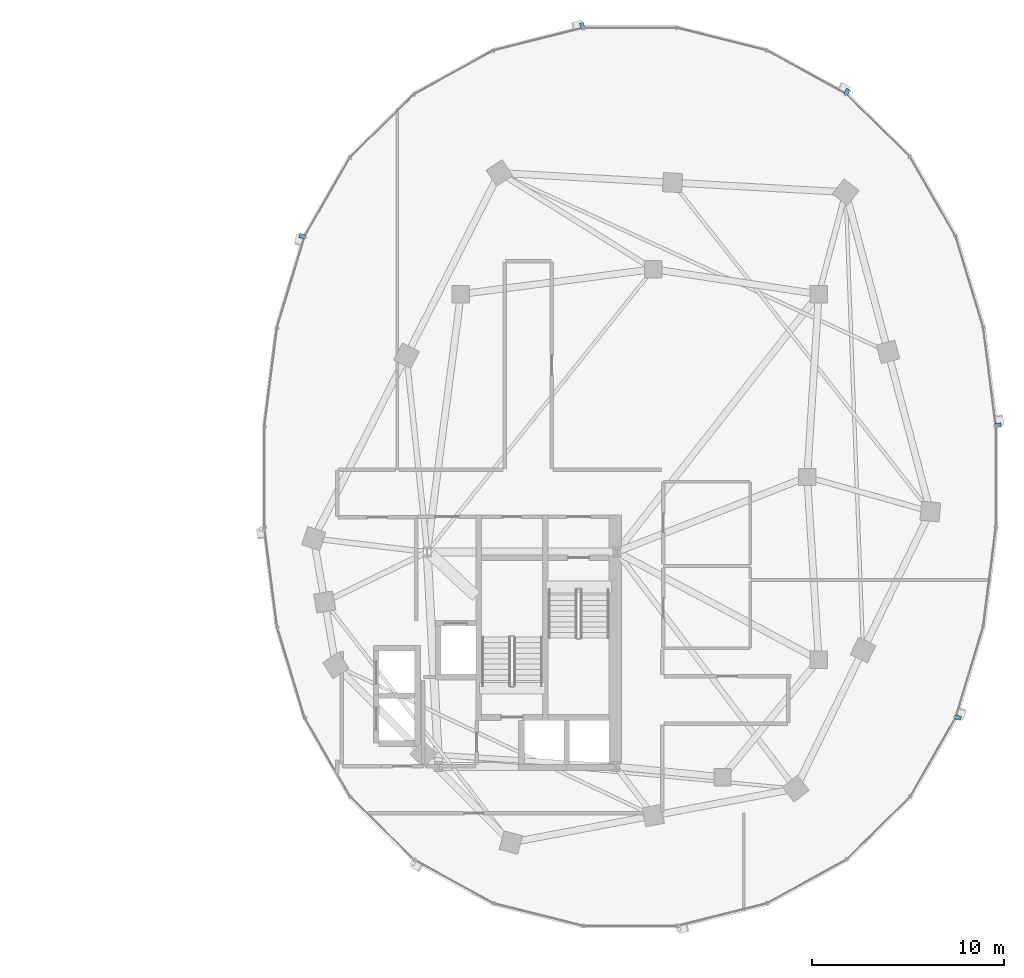
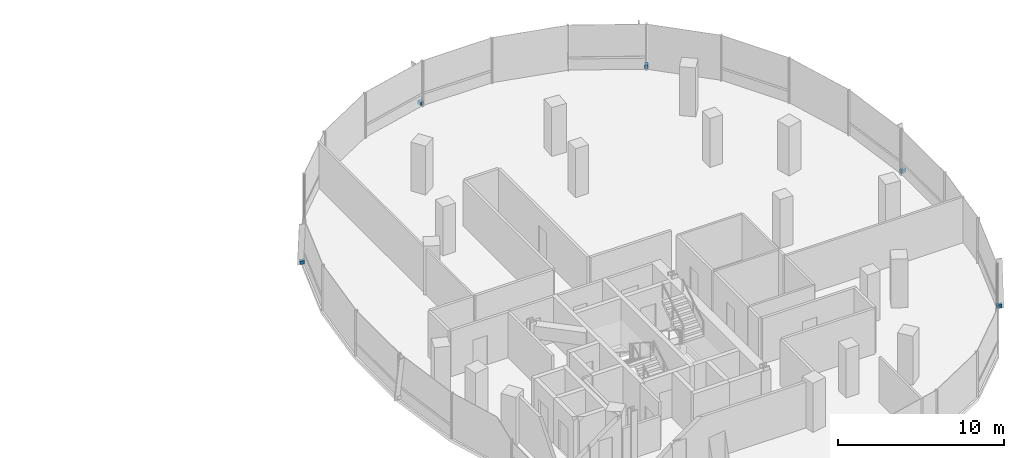
# One storey, part 17 of 22: 5 discrete accessories.
"""IFC4 building model written with IfcOpenShell, lengths in metres."""

from ifc_helpers import new_model, si_unit, direction, frame, origin, origin_2d, place, context, subcontext, project, spatial, rectangle, extrude, material, type_object, element, save


model = new_model("IFC4")

# Units and contexts
model_context = context("Model", 3, precision=1e-05, world=origin(), true_north=direction((0.0, 1.0)))
body_context = subcontext(model_context, "Body", "Model", "MODEL_VIEW")
ifc_project = project(units=[si_unit("LENGTHUNIT", "METRE"), si_unit("AREAUNIT", "SQUARE_METRE"), si_unit("VOLUMEUNIT", "CUBIC_METRE"), si_unit("PLANEANGLEUNIT", "RADIAN"), si_unit("MASSUNIT", "GRAM", prefix="KILO"), si_unit("THERMODYNAMICTEMPERATUREUNIT", "KELVIN"), si_unit("POWERUNIT", "WATT")], contexts=[model_context])

# Site, building, storey
site_placement = place(None, origin())
site = spatial("IfcSite", under=ifc_project, at=site_placement, CompositionType="ELEMENT")
building_placement = place(site_placement, origin())
building = spatial("IfcBuilding", under=site, at=building_placement, Name="Cundina Bronze Exchange", CompositionType="ELEMENT")
storey_placement = place(building_placement, frame((0.0, 0.0, 140.39990234375)))
storey = spatial("IfcBuildingStorey", under=building, at=storey_placement, Name="L36", CompositionType="ELEMENT", Elevation=140.39990234375)

# Discrete accessories
ifc_material = material(Name="Anodised Bronze Aluminium 6063-T6", Category="aluminium")
discrete_accessory_type = type_object("IfcDiscreteAccessoryType", Name="ACC-BRK-FIN", PredefinedType="BRACKET", material=ifc_material)
for number, where, z_axis, x_axis, name in (
    (1, (51.125732421875, 2.69189453125, 0.10009765625), (0.0, 0.0, 1.0), (-0.126475984253, 0.9919696696, 0.0), "L36 Fin Support Bracket 1"),
    (2, (43.266845703125, 20.015380859375, 0.10009765625), (0.0, 0.0, 1.0), (-0.875869093438, 0.482548786301, 0.0), "L36 Fin Support Bracket 5"),
    (3, (29.507080078125, 23.44970703125, 0.10009765625), (0.0, 0.0, 1.0), (-0.970092713791, -0.242734683656, 0.0), "L36 Fin Support Bracket 1"),
    (4, (14.9541015625, 12.511962890625, 0.10009765625), (0.0, 0.0, 1.0), (-0.290050843957, -0.957011237092, 0.0), "L36 Fin Support Bracket 5"),
    (5, (49.0458984375, -12.511962890625, 0.10009765625), (0.0, 0.0, 1.0), (0.290050843957, 0.957011237092, 0.0), "L36 Fin Support Bracket 5"),
):
    element("IfcDiscreteAccessory", number, at=place(storey_placement, frame(where, z_axis=z_axis, x_axis=x_axis)), inside=storey, type_object=discrete_accessory_type, Name=name, PredefinedType="BRACKET", context=body_context, shape_type="SweptSolid", body=[
        extrude(rectangle(XDim=0.219970703125, YDim=0.320068359375, at=origin_2d()), origin(), (0.0, 0.0, 1.0), 0.239990234375),
    ])

save(model, "model.ifc")
